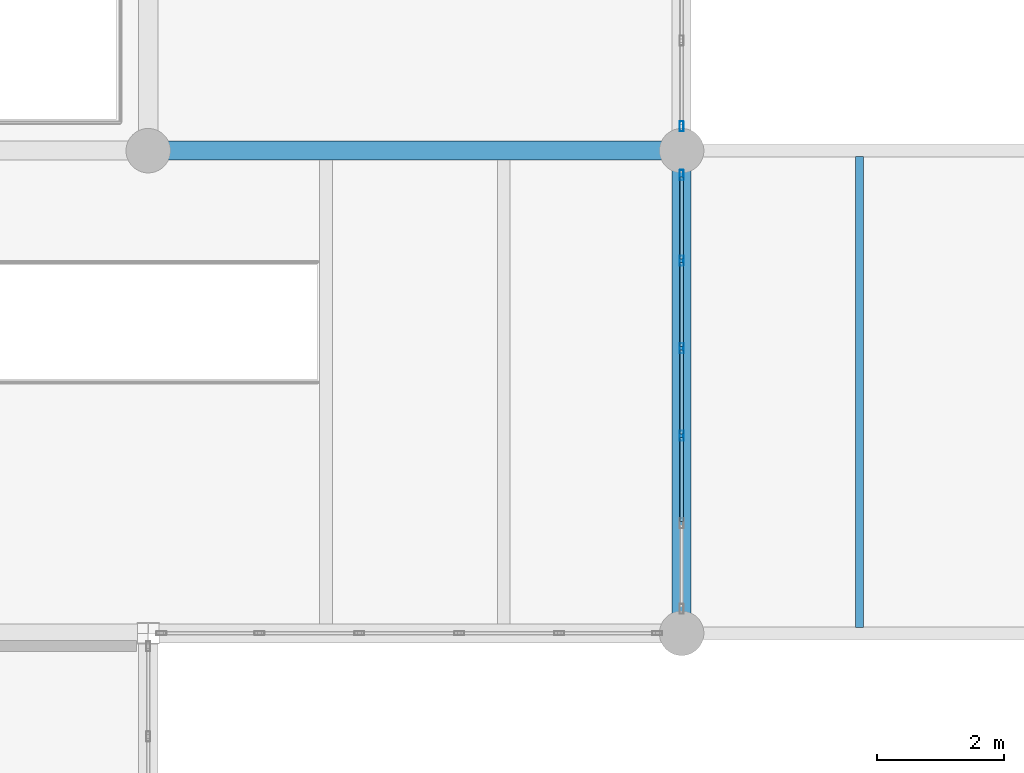
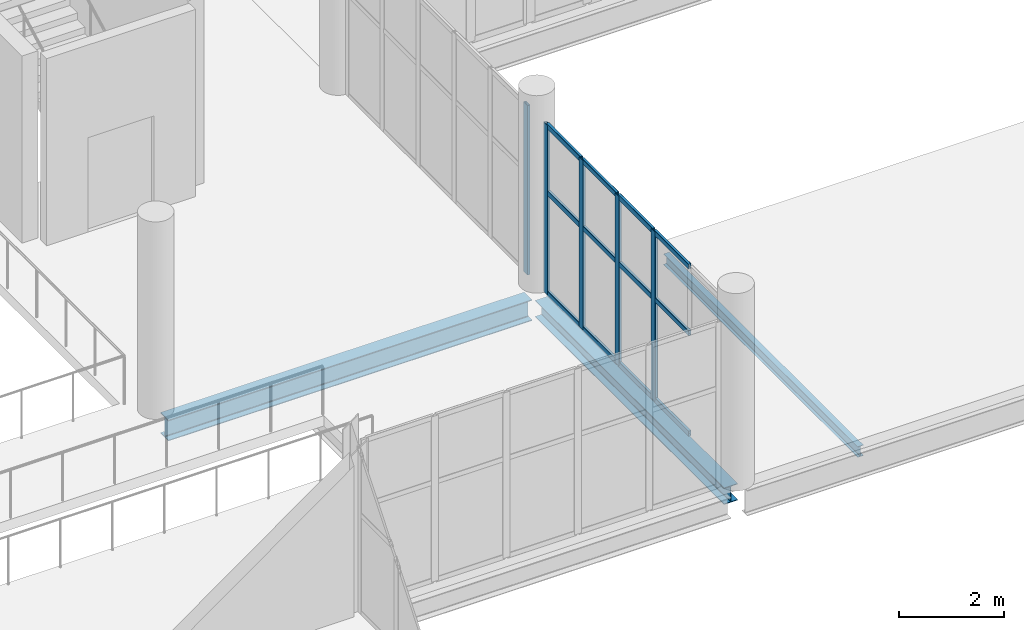
# One storey, part 32 of 136: 17 members, 3 beams, 2 elements without a shape of their own.
"""IFC4 building model written with IfcOpenShell, lengths in metres."""

from ifc_helpers import new_model, si_unit, direction, frame, origin, origin_2d, place, context, subcontext, project, spatial, hollow_rectangle, i_section, extrude, material, material_profile, profile_set, type_object, element, aggregate, save


model = new_model("IFC4")

# Units and contexts
model_context = context("Model", 3, precision=1e-05, world=origin(), true_north=direction((0.0, 1.0)))
body_context = subcontext(model_context, "Body", "Model", "MODEL_VIEW")
ifc_project = project(units=[si_unit("LENGTHUNIT", "METRE"), si_unit("AREAUNIT", "SQUARE_METRE"), si_unit("VOLUMEUNIT", "CUBIC_METRE"), si_unit("PLANEANGLEUNIT", "RADIAN"), si_unit("MASSUNIT", "GRAM", prefix="KILO")], contexts=[model_context])

# Site, building, storey
site_placement = place(None, origin())
site = spatial("IfcSite", under=ifc_project, at=site_placement, CompositionType="ELEMENT")
building_placement = place(site_placement, origin())
building = spatial("IfcBuilding", under=site, at=building_placement, Name="Shengluoqiao Park Theatre", CompositionType="ELEMENT")
storey_placement = place(building_placement, frame((0.0, 0.0, 10.0)))
storey = spatial("IfcBuildingStorey", under=building, at=storey_placement, Name="L02", CompositionType="ELEMENT", Elevation=10.0)

# Curtain wall, members
ifc_material_1 = material(Name="Aluminium 6063-T6", Category="aluminium")
curtain_wall_type = type_object("IfcCurtainWallType", Name="ENV-CW-COURT", PredefinedType="NOTDEFINED", material=ifc_material_1)
curtain_wall_1_placement = place(storey_placement, origin())
curtain_wall_1 = element("IfcCurtainWall", 1, at=curtain_wall_1_placement, inside=storey, type_object=curtain_wall_type, Name="L02 Curtain Wall CWX-L02-0215", PredefinedType="NOTDEFINED")
ifc_material_profile_1 = material_profile(ifc_material_1, hollow_rectangle(XDim=0.06005859375, YDim=0.159912109375, WallThickness=0.00390625, InnerFilletRadius=0.00390625, OuterFilletRadius=0.008056640625, at=origin_2d()), Name="ALU MULLION 160x60x4")
ifc_profile_set_1 = profile_set([ifc_material_profile_1], Name="Aluminium 6063-T6")
member_type_1 = type_object("IfcMemberType", Name="ENV-MUL-160", PredefinedType="MULLION", material=ifc_profile_set_1)
member_1_placement = place(storey_placement, frame((44.39990234375, 56.310791015625, 0.0), z_axis=(0.0, 0.0, 1.0), x_axis=(-1.0, 0.0, 0.0)))
member_1 = element("IfcMember", 2, at=member_1_placement, type_object=member_type_1, Name="CW-05 mullion 3", PredefinedType="MULLION", context=body_context, shape_type="SweptSolid", body=[
    extrude(hollow_rectangle(XDim=0.06005859375, YDim=0.159912109375, WallThickness=0.00390625, InnerFilletRadius=0.00390625, OuterFilletRadius=0.008056640625, at=origin_2d()), origin(), (0.0, 0.0, 1.0), 3.947998046875),
])
member_2_placement = place(storey_placement, frame((44.39990234375, 57.689208984375, 0.0), z_axis=(0.0, 0.0, 1.0), x_axis=(-1.0, 0.0, 0.0)))
member_2 = element("IfcMember", 3, at=member_2_placement, type_object=member_type_1, Name="CW-05 mullion 4", PredefinedType="MULLION", context=body_context, shape_type="SweptSolid", body=[
    extrude(hollow_rectangle(XDim=0.06005859375, YDim=0.159912109375, WallThickness=0.00390625, InnerFilletRadius=0.00390625, OuterFilletRadius=0.008056640625, at=origin_2d()), origin(), (0.0, 0.0, 1.0), 3.947998046875),
])
member_3_placement = place(storey_placement, frame((44.39990234375, 59.067626953125, 0.0), z_axis=(0.0, 0.0, 1.0), x_axis=(-1.0, 0.0, 0.0)))
member_3 = element("IfcMember", 4, at=member_3_placement, type_object=member_type_1, Name="CW-05 mullion 5", PredefinedType="MULLION", context=body_context, shape_type="SweptSolid", body=[
    extrude(hollow_rectangle(XDim=0.06005859375, YDim=0.159912109375, WallThickness=0.00390625, InnerFilletRadius=0.00390625, OuterFilletRadius=0.008056640625, at=origin_2d()), origin(), (0.0, 0.0, 1.0), 3.947998046875),
])
member_4_placement = place(storey_placement, frame((44.39990234375, 60.416015625, 0.0), z_axis=(0.0, 0.0, 1.0), x_axis=(-1.0, 0.0, 0.0)))
member_4 = element("IfcMember", 5, at=member_4_placement, type_object=member_type_1, Name="CW-05 mullion 6", PredefinedType="MULLION", context=body_context, shape_type="SweptSolid", body=[
    extrude(hollow_rectangle(XDim=0.06005859375, YDim=0.159912109375, WallThickness=0.00390625, InnerFilletRadius=0.00390625, OuterFilletRadius=0.008056640625, at=origin_2d()), origin(), (0.0, 0.0, 1.0), 3.947998046875),
])

# Curtain wall, member
curtain_wall_2_placement = place(storey_placement, origin())
curtain_wall_2 = element("IfcCurtainWall", 6, at=curtain_wall_2_placement, inside=storey, type_object=curtain_wall_type, Name="L02 Curtain Wall CWX-L02-0216", PredefinedType="NOTDEFINED")
member_5_placement = place(storey_placement, frame((44.39990234375, 61.18408203125, 0.0), z_axis=(0.0, 0.0, 1.0), x_axis=(-1.0, 0.0, 0.0)))
member_5 = element("IfcMember", 7, at=member_5_placement, type_object=member_type_1, Name="CW-05 mullion 1", PredefinedType="MULLION", context=body_context, shape_type="SweptSolid", body=[
    extrude(hollow_rectangle(XDim=0.06005859375, YDim=0.159912109375, WallThickness=0.00390625, InnerFilletRadius=0.00390625, OuterFilletRadius=0.008056640625, at=origin_2d()), origin(), (0.0, 0.0, 1.0), 3.947998046875),
])
aggregate(curtain_wall_2, [member_5])

# Member
ifc_material_profile_2 = material_profile(ifc_material_1, hollow_rectangle(XDim=0.06005859375, YDim=0.1201171875, WallThickness=0.00390625, InnerFilletRadius=0.00390625, OuterFilletRadius=0.008056640625, at=origin_2d()), Name="ALU TRANSOM 120x60x4")
ifc_profile_set_2 = profile_set([ifc_material_profile_2], Name="Aluminium 6063-T6")
member_type_2 = type_object("IfcMemberType", Name="ENV-TRN-120", PredefinedType="USERDEFINED", material=ifc_profile_set_2)
member_6_placement = place(storey_placement, frame((44.39990234375, 54.96240234375, 0.030029296875), z_axis=(0.0, 1.0, 0.0), x_axis=(-1.0, 0.0, 0.0)))
member_6 = element("IfcMember", 8, at=member_6_placement, type_object=member_type_2, Name="CW-05 transom 2.1", ObjectType="TRANSOM", PredefinedType="USERDEFINED", context=body_context, shape_type="SweptSolid", body=[
    extrude(hollow_rectangle(XDim=0.06005859375, YDim=0.1201171875, WallThickness=0.00390625, InnerFilletRadius=0.00390625, OuterFilletRadius=0.008056640625, at=origin_2d()), origin(), (0.0, 0.0, 1.0), 1.318359375),
])

member_7_placement = place(storey_placement, frame((44.39990234375, 54.96240234375, 2.368896484375), z_axis=(0.0, 1.0, 0.0), x_axis=(-1.0, 0.0, 0.0)))
member_7 = element("IfcMember", 9, at=member_7_placement, type_object=member_type_2, Name="CW-05 transom 2.2", ObjectType="TRANSOM", PredefinedType="USERDEFINED", context=body_context, shape_type="SweptSolid", body=[
    extrude(hollow_rectangle(XDim=0.06005859375, YDim=0.1201171875, WallThickness=0.00390625, InnerFilletRadius=0.00390625, OuterFilletRadius=0.008056640625, at=origin_2d()), origin(), (0.0, 0.0, 1.0), 1.318359375),
])

member_8_placement = place(storey_placement, frame((44.39990234375, 54.96240234375, 3.91796875), z_axis=(0.0, 1.0, 0.0), x_axis=(-1.0, 0.0, 0.0)))
member_8 = element("IfcMember", 10, at=member_8_placement, type_object=member_type_2, Name="CW-05 transom 2.3", ObjectType="TRANSOM", PredefinedType="USERDEFINED", context=body_context, shape_type="SweptSolid", body=[
    extrude(hollow_rectangle(XDim=0.06005859375, YDim=0.1201171875, WallThickness=0.00390625, InnerFilletRadius=0.00390625, OuterFilletRadius=0.008056640625, at=origin_2d()), origin(), (0.0, 0.0, 1.0), 1.318359375),
])

member_9_placement = place(storey_placement, frame((44.39990234375, 56.3408203125, 0.030029296875), z_axis=(0.0, 1.0, 0.0), x_axis=(-1.0, 0.0, 0.0)))
member_9 = element("IfcMember", 11, at=member_9_placement, type_object=member_type_2, Name="CW-05 transom 3.1", ObjectType="TRANSOM", PredefinedType="USERDEFINED", context=body_context, shape_type="SweptSolid", body=[
    extrude(hollow_rectangle(XDim=0.06005859375, YDim=0.1201171875, WallThickness=0.00390625, InnerFilletRadius=0.00390625, OuterFilletRadius=0.008056640625, at=origin_2d()), origin(), (0.0, 0.0, 1.0), 1.318359375),
])

member_10_placement = place(storey_placement, frame((44.39990234375, 56.3408203125, 2.368896484375), z_axis=(0.0, 1.0, 0.0), x_axis=(-1.0, 0.0, 0.0)))
member_10 = element("IfcMember", 12, at=member_10_placement, type_object=member_type_2, Name="CW-05 transom 3.2", ObjectType="TRANSOM", PredefinedType="USERDEFINED", context=body_context, shape_type="SweptSolid", body=[
    extrude(hollow_rectangle(XDim=0.06005859375, YDim=0.1201171875, WallThickness=0.00390625, InnerFilletRadius=0.00390625, OuterFilletRadius=0.008056640625, at=origin_2d()), origin(), (0.0, 0.0, 1.0), 1.318359375),
])

member_11_placement = place(storey_placement, frame((44.39990234375, 56.3408203125, 3.91796875), z_axis=(0.0, 1.0, 0.0), x_axis=(-1.0, 0.0, 0.0)))
member_11 = element("IfcMember", 13, at=member_11_placement, type_object=member_type_2, Name="CW-05 transom 3.3", ObjectType="TRANSOM", PredefinedType="USERDEFINED", context=body_context, shape_type="SweptSolid", body=[
    extrude(hollow_rectangle(XDim=0.06005859375, YDim=0.1201171875, WallThickness=0.00390625, InnerFilletRadius=0.00390625, OuterFilletRadius=0.008056640625, at=origin_2d()), origin(), (0.0, 0.0, 1.0), 1.318359375),
])

member_12_placement = place(storey_placement, frame((44.39990234375, 57.71923828125, 0.030029296875), z_axis=(0.0, 1.0, 0.0), x_axis=(-1.0, 0.0, 0.0)))
member_12 = element("IfcMember", 14, at=member_12_placement, type_object=member_type_2, Name="CW-05 transom 4.1", ObjectType="TRANSOM", PredefinedType="USERDEFINED", context=body_context, shape_type="SweptSolid", body=[
    extrude(hollow_rectangle(XDim=0.06005859375, YDim=0.1201171875, WallThickness=0.00390625, InnerFilletRadius=0.00390625, OuterFilletRadius=0.008056640625, at=origin_2d()), origin(), (0.0, 0.0, 1.0), 1.318359375),
])

member_13_placement = place(storey_placement, frame((44.39990234375, 57.71923828125, 2.368896484375), z_axis=(0.0, 1.0, 0.0), x_axis=(-1.0, 0.0, 0.0)))
member_13 = element("IfcMember", 15, at=member_13_placement, type_object=member_type_2, Name="CW-05 transom 4.2", ObjectType="TRANSOM", PredefinedType="USERDEFINED", context=body_context, shape_type="SweptSolid", body=[
    extrude(hollow_rectangle(XDim=0.06005859375, YDim=0.1201171875, WallThickness=0.00390625, InnerFilletRadius=0.00390625, OuterFilletRadius=0.008056640625, at=origin_2d()), origin(), (0.0, 0.0, 1.0), 1.318359375),
])

member_14_placement = place(storey_placement, frame((44.39990234375, 57.71923828125, 3.91796875), z_axis=(0.0, 1.0, 0.0), x_axis=(-1.0, 0.0, 0.0)))
member_14 = element("IfcMember", 16, at=member_14_placement, type_object=member_type_2, Name="CW-05 transom 4.3", ObjectType="TRANSOM", PredefinedType="USERDEFINED", context=body_context, shape_type="SweptSolid", body=[
    extrude(hollow_rectangle(XDim=0.06005859375, YDim=0.1201171875, WallThickness=0.00390625, InnerFilletRadius=0.00390625, OuterFilletRadius=0.008056640625, at=origin_2d()), origin(), (0.0, 0.0, 1.0), 1.318359375),
])

member_15_placement = place(storey_placement, frame((44.39990234375, 59.09765625, 0.030029296875), z_axis=(0.0, 1.0, 0.0), x_axis=(-1.0, 0.0, 0.0)))
member_15 = element("IfcMember", 17, at=member_15_placement, type_object=member_type_2, Name="CW-05 transom 5.1", ObjectType="TRANSOM", PredefinedType="USERDEFINED", context=body_context, shape_type="SweptSolid", body=[
    extrude(hollow_rectangle(XDim=0.06005859375, YDim=0.1201171875, WallThickness=0.00390625, InnerFilletRadius=0.00390625, OuterFilletRadius=0.008056640625, at=origin_2d()), origin(), (0.0, 0.0, 1.0), 1.288330078125),
])

member_16_placement = place(storey_placement, frame((44.39990234375, 59.09765625, 2.368896484375), z_axis=(0.0, 1.0, 0.0), x_axis=(-1.0, 0.0, 0.0)))
member_16 = element("IfcMember", 18, at=member_16_placement, type_object=member_type_2, Name="CW-05 transom 5.2", ObjectType="TRANSOM", PredefinedType="USERDEFINED", context=body_context, shape_type="SweptSolid", body=[
    extrude(hollow_rectangle(XDim=0.06005859375, YDim=0.1201171875, WallThickness=0.00390625, InnerFilletRadius=0.00390625, OuterFilletRadius=0.008056640625, at=origin_2d()), origin(), (0.0, 0.0, 1.0), 1.288330078125),
])

member_17_placement = place(storey_placement, frame((44.39990234375, 59.09765625, 3.91796875), z_axis=(0.0, 1.0, 0.0), x_axis=(-1.0, 0.0, 0.0)))
member_17 = element("IfcMember", 19, at=member_17_placement, type_object=member_type_2, Name="CW-05 transom 5.3", ObjectType="TRANSOM", PredefinedType="USERDEFINED", context=body_context, shape_type="SweptSolid", body=[
    extrude(hollow_rectangle(XDim=0.06005859375, YDim=0.1201171875, WallThickness=0.00390625, InnerFilletRadius=0.00390625, OuterFilletRadius=0.008056640625, at=origin_2d()), origin(), (0.0, 0.0, 1.0), 1.288330078125),
])

aggregate(curtain_wall_1, [member_1, member_2, member_3, member_4, member_6, member_7, member_8, member_9, member_10, member_11, member_12, member_13, member_14, member_15, member_16, member_17])

# Beams
ifc_material_2 = material(Name="Steel Q355", Category="steel")
ifc_material_profile_3 = material_profile(ifc_material_2, i_section(OverallWidth=0.300048828125, OverallDepth=0.389892578125, WebThickness=0.010009765625, FlangeThickness=0.01611328125, FilletRadius=0.01806640625, at=origin_2d()), Name="HM 390x300x10x16")
ifc_profile_set_3 = profile_set([ifc_material_profile_3], Name="Steel Q355")
beam_type_1 = type_object("IfcBeamType", Name="STR-BM-G-HM390", PredefinedType="BEAM", material=ifc_profile_set_3)
beam_1_placement = place(storey_placement, frame((44.39990234375, 53.39404296875, -0.43505859375), z_axis=(0.0, 1.0, 0.0), x_axis=(-1.0, 0.0, 0.0)))
element("IfcBeam", 20, at=beam_1_placement, inside=storey, type_object=beam_type_1, Name="L02 Transverse Girder 00979", PredefinedType="BEAM", context=body_context, shape_type="SweptSolid", body=[
    extrude(i_section(OverallWidth=0.300048828125, OverallDepth=0.389892578125, WebThickness=0.010009765625, FlangeThickness=0.01611328125, FilletRadius=0.01806640625, at=origin_2d()), origin(), (0.0, 0.0, 1.0), 7.2119140625),
])
ifc_material_profile_4 = material_profile(ifc_material_2, i_section(OverallWidth=0.300048828125, OverallDepth=0.488037109375, WebThickness=0.010986328125, FlangeThickness=0.01806640625, FilletRadius=0.02197265625, at=origin_2d()), Name="HM 488x300x11x18")
ifc_profile_set_4 = profile_set([ifc_material_profile_4], Name="Steel Q355")
beam_type_2 = type_object("IfcBeamType", Name="STR-BM-G-HM488", PredefinedType="BEAM", material=ifc_profile_set_4)
beam_2_placement = place(storey_placement, frame((36.194091796875, 60.800048828125, -0.48388671875), z_axis=(1.0, 0.0, 0.0), x_axis=(0.0, 1.0, 0.0)))
element("IfcBeam", 21, at=beam_2_placement, inside=storey, type_object=beam_type_2, Name="L02 Primary Girder 00973", PredefinedType="BEAM", context=body_context, shape_type="SweptSolid", body=[
    extrude(i_section(OverallWidth=0.300048828125, OverallDepth=0.488037109375, WebThickness=0.010986328125, FlangeThickness=0.01806640625, FilletRadius=0.02197265625, at=origin_2d()), origin(), (0.0, 0.0, 1.0), 8.011962890625),
])
ifc_material_profile_5 = material_profile(ifc_material_2, i_section(OverallWidth=0.125, OverallDepth=0.25, WebThickness=0.006103515625, FlangeThickness=0.009033203125, FilletRadius=0.010009765625, at=origin_2d()), Name="HN 250x125x6x9")
ifc_profile_set_5 = profile_set([ifc_material_profile_5], Name="Steel Q355")
beam_type_3 = type_object("IfcBeamType", Name="STR-BM-J-HN250", PredefinedType="JOIST", material=ifc_profile_set_5)
beam_3_placement = place(storey_placement, frame((47.199951171875, 53.29443359375, -0.35498046875), z_axis=(0.0, 1.0, 0.0), x_axis=(-1.0, 0.0, 0.0)))
element("IfcBeam", 22, at=beam_3_placement, inside=storey, type_object=beam_type_3, Name="L02 Composite Joist 01939", PredefinedType="JOIST", context=body_context, shape_type="SweptSolid", body=[
    extrude(i_section(OverallWidth=0.125, OverallDepth=0.25, WebThickness=0.006103515625, FlangeThickness=0.009033203125, FilletRadius=0.010009765625, at=origin_2d()), origin(), (0.0, 0.0, 1.0), 7.4111328125),
])

save(model, "model.ifc")
